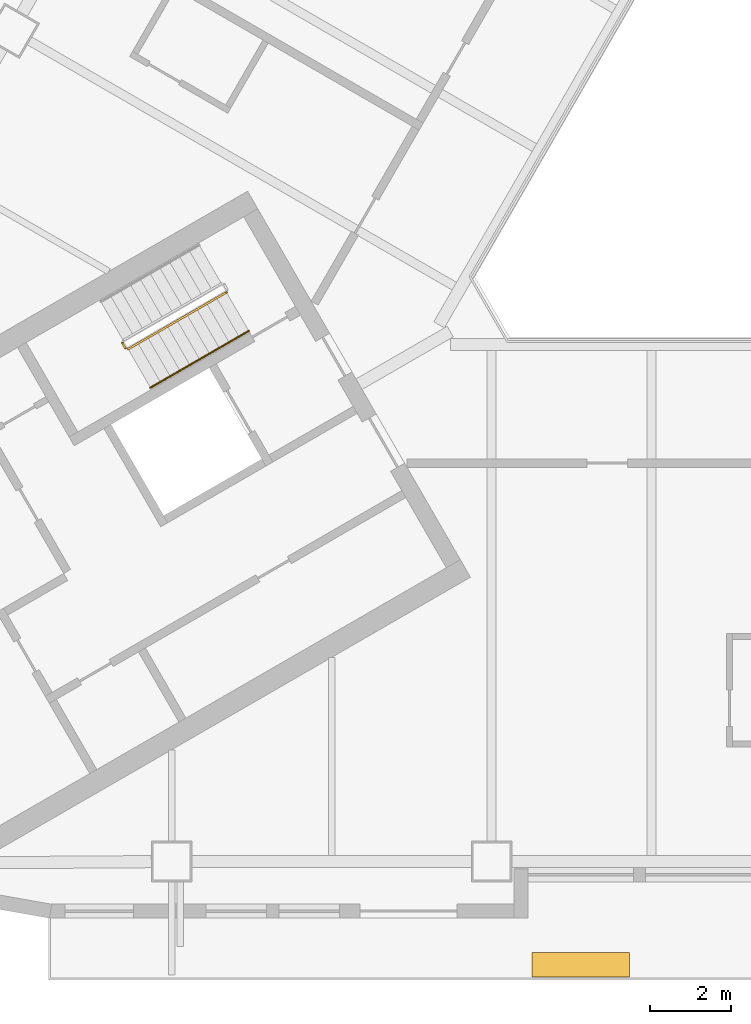
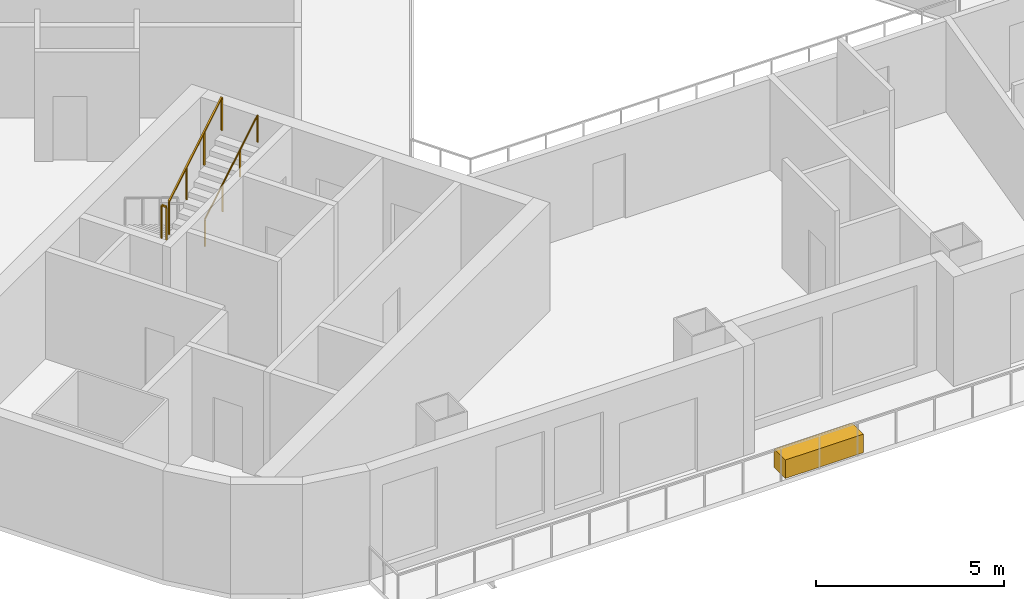
# One storey, part 8 of 13: 3 railings, 1 covering.
"""IFC4 building model written with IfcOpenShell, lengths in metres."""

import ifcopenshell
import ifcopenshell.guid

model = None  # the IFC model being written
_history = None  # IfcOwnerHistory: only IFC2X3 demands one
_inside = {}  # id of a spatial element -> (the spatial element, [elements in it])
_under = {}  # id of a project, library or spatial element -> (it, [spatial elements below it])
_declared = {}  # id of a project -> (the project, [libraries it declares])
_typed = {}  # id of a type object -> (the type object, [elements of that type])
_made_of = {}  # id of a material, layer set ... -> (it, [elements and type objects made of it])


def new_model(schema):
    """Start an empty IFC model of exactly this schema.

    Asked for "IFC4X3", IfcOpenShell would pick the latest addendum, in which some entities
    have other attributes; the version numbers below select the first issue.
    IFC2X3 requires an IfcOwnerHistory on every rooted entity: one is made here for all.
    """
    global model, _history
    if schema == "IFC4X3":
        model = ifcopenshell.file(schema_version=(4, 3, 0, 0))
    else:
        model = ifcopenshell.file(schema=schema)
    _inside.clear()
    _under.clear()
    _declared.clear()
    _typed.clear()
    _made_of.clear()
    _history = None
    if model.schema == "IFC2X3":
        org = make("IfcOrganization", Name="unknown")
        user = make(
            "IfcPersonAndOrganization",
            ThePerson=make("IfcPerson", FamilyName="unknown"),
            TheOrganization=org,
        )
        app = make(
            "IfcApplication",
            ApplicationDeveloper=org,
            Version="unknown",
            ApplicationFullName="unknown",
            ApplicationIdentifier="unknown",
        )
        _history = make(
            "IfcOwnerHistory",
            OwningUser=user,
            OwningApplication=app,
            ChangeAction="ADDED",
            CreationDate=0,
        )
    return model


def make(cls, **values):
    """One entity of the class cls with the attributes given. An attribute that is None is left unset."""
    return model.create_entity(
        cls, **{name: value for name, value in values.items() if value is not None}
    )


def rooted(cls, **values):
    """An entity with a GlobalId (a new one), such as an element, a storey or a relation."""
    return make(cls, GlobalId=ifcopenshell.guid.new(), OwnerHistory=_history, **values)


def si_unit(unit_type, name, prefix=None):
    """IfcSIUnit, for example si_unit("LENGTHUNIT", "METRE", prefix="MILLI")."""
    return make("IfcSIUnit", UnitType=unit_type, Prefix=prefix, Name=name)


def assignment(units):
    """IfcUnitAssignment: the units of a project."""
    return None if units is None else make("IfcUnitAssignment", Units=units)


def point(xyz):
    """IfcCartesianPoint."""
    return None if xyz is None else make("IfcCartesianPoint", Coordinates=xyz)


def direction(xyz):
    """IfcDirection."""
    return None if xyz is None else make("IfcDirection", DirectionRatios=xyz)


def frame(location, z_axis=None, x_axis=None):
    """IfcAxis2Placement3D, a coordinate frame: its origin and axes. An axis left out is left unset."""
    return make(
        "IfcAxis2Placement3D",
        Location=point(location),
        Axis=direction(z_axis),
        RefDirection=direction(x_axis),
    )


def frame_2d(location, x_axis=None):
    """IfcAxis2Placement2D, a coordinate frame in the plane: its origin and x axis."""
    return make(
        "IfcAxis2Placement2D", Location=point(location), RefDirection=direction(x_axis)
    )


def origin():
    """The frame at (0, 0, 0) with its axes left unset."""
    return frame((0.0, 0.0, 0.0))


def origin_2d():
    """The frame at (0, 0) in the plane with its x axis left unset."""
    return frame_2d((0.0, 0.0))


def place(relative_to, where):
    """IfcLocalPlacement: puts the frame where relative to a parent placement (None: the world)."""
    return make(
        "IfcLocalPlacement", PlacementRelTo=relative_to, RelativePlacement=where
    )


def context(
    kind, dimensions, precision=None, world=None, true_north=None, identifier=None
):
    """IfcGeometricRepresentationContext, for example the 3D "Model" context."""
    return make(
        "IfcGeometricRepresentationContext",
        ContextIdentifier=identifier,
        ContextType=kind,
        CoordinateSpaceDimension=dimensions,
        Precision=precision,
        WorldCoordinateSystem=world,
        TrueNorth=true_north,
    )


def subcontext(parent, identifier, kind, view, scale=None):
    """IfcGeometricRepresentationSubContext, for example "Body" below "Model"."""
    return make(
        "IfcGeometricRepresentationSubContext",
        ContextIdentifier=identifier,
        ContextType=kind,
        ParentContext=parent,
        TargetScale=scale,
        TargetView=view,
    )


def project(units=None, contexts=None):
    """IfcProject with its units and contexts."""
    return rooted(
        "IfcProject",
        Name="project",
        RepresentationContexts=contexts,
        UnitsInContext=assignment(units),
    )


def spatial(cls, under=None, at=None, **own):
    """A site, building, storey or space (cls), placed at a placement, below another one or the project."""
    s = rooted(cls, ObjectPlacement=at, **own)
    if under is not None:
        _under.setdefault(under.id(), (under, []))[1].append(s)
    return s


def profile(cls, at=None, kind="AREA", **sizes):
    """A parametric profile (cls). Its sizes go by their IFC names, for example OverallWidth=200.0."""
    return make(cls, ProfileType=kind, Position=at, **sizes)


def rectangle(**sizes):
    """IfcRectangleProfileDef."""
    return profile("IfcRectangleProfileDef", **sizes)


def circle(**sizes):
    """IfcCircleProfileDef."""
    return profile("IfcCircleProfileDef", **sizes)


def extrude(swept, where, along, depth):
    """IfcExtrudedAreaSolid: the profile swept, set in the frame where, extruded along a direction by depth."""
    return make(
        "IfcExtrudedAreaSolid",
        SweptArea=swept,
        Position=where,
        ExtrudedDirection=direction(along),
        Depth=depth,
    )


def shape(context_of_items, identifier, shape_type, items):
    """IfcShapeRepresentation: the items that make up one representation, for example the "Body"."""
    return make(
        "IfcShapeRepresentation",
        ContextOfItems=context_of_items,
        RepresentationIdentifier=identifier,
        RepresentationType=shape_type,
        Items=items,
    )


def material(Name=None, Category=None):
    """IfcMaterial."""
    return make("IfcMaterial", Name=Name, Category=Category)


def made_of(thing, what):
    """Note that an element or type object is made of a material, layer set ...; save() writes the relation."""
    if what is not None:
        _made_of.setdefault(what.id(), (what, []))[1].append(thing)
    return thing


def type_object(cls, material=None, **own):
    """A type object (cls), such as IfcWallType, which elements share."""
    return made_of(rooted(cls, **own), material)


def element(
    cls,
    number,
    at=None,
    inside=None,
    cuts=None,
    type_object=None,
    material=None,
    context=None,
    identifier="Body",
    shape_type=None,
    held_by="IfcProductDefinitionShape",
    body=None,
    shapes=None,
    **own,
):
    """One element of the class cls, such as IfcWall. Its Tag is "e" and its number.

    at: its placement. inside: the storey or other place that contains it. cuts: it is an
    opening in that element (IfcRelVoidsElement). A single representation is given by context,
    identifier, shape_type and body (its items); several are given by shapes. held_by: the class
    of the entity that holds the representations. save() writes the other relations.
    """
    e = rooted(cls, Tag="e%d" % number, ObjectPlacement=at, **own)
    if body is not None:
        shapes = [shape(context, identifier, shape_type, body)]
    if shapes is not None:
        e.Representation = make(held_by, Representations=shapes)
    if inside is not None:
        _inside.setdefault(inside.id(), (inside, []))[1].append(e)
    if cuts is not None:
        rooted(
            "IfcRelVoidsElement", RelatingBuildingElement=cuts, RelatedOpeningElement=e
        )
    if type_object is not None:
        _typed.setdefault(type_object.id(), (type_object, []))[1].append(e)
    return made_of(e, material)


def aggregate(whole, parts):
    """IfcRelAggregates: a whole, such as a stair, and the parts it consists of."""
    return rooted("IfcRelAggregates", RelatingObject=whole, RelatedObjects=parts)


def save(model, path):
    """Write the relations noted so far, then the file.

    IfcRelAggregates (storeys below a building ...), IfcRelContainedInSpatialStructure (elements
    in a storey), IfcRelDefinesByType, IfcRelAssociatesMaterial and IfcRelDeclares: one each for
    every whole, place, type object, material and project.
    """
    for whole, parts in _under.values():
        aggregate(whole, parts)
    for where, things in _inside.values():
        rooted(
            "IfcRelContainedInSpatialStructure",
            RelatedElements=things,
            RelatingStructure=where,
        )
    for kind, things in _typed.values():
        rooted("IfcRelDefinesByType", RelatedObjects=things, RelatingType=kind)
    for what, things in _made_of.values():
        rooted("IfcRelAssociatesMaterial", RelatedObjects=things, RelatingMaterial=what)
    for by, libraries in _declared.values():
        rooted("IfcRelDeclares", RelatingContext=by, RelatedDefinitions=libraries)
    model.write(path)


model = new_model("IFC4")

# Units and contexts
model_context = context("Model", 3, precision=1e-05, world=origin(), true_north=direction((0.0, 1.0)))
body_context = subcontext(model_context, "Body", "Model", "MODEL_VIEW")
ifc_project = project(units=[si_unit("LENGTHUNIT", "METRE"), si_unit("AREAUNIT", "SQUARE_METRE"), si_unit("VOLUMEUNIT", "CUBIC_METRE"), si_unit("PLANEANGLEUNIT", "RADIAN"), si_unit("MASSUNIT", "GRAM", prefix="KILO")], contexts=[model_context])

# Site, building, storey
site_placement = place(None, origin())
site = spatial("IfcSite", under=ifc_project, at=site_placement, CompositionType="ELEMENT")
building_placement = place(site_placement, origin())
building = spatial("IfcBuilding", under=site, at=building_placement, Name="Apuvela Tower Hotel", CompositionType="ELEMENT")
storey_placement = place(building_placement, frame((0.0, 0.0, 65.0)))
storey = spatial("IfcBuildingStorey", under=building, at=storey_placement, Name="L13", CompositionType="ELEMENT", Elevation=65.0)

# Railings
ifc_material_1 = material(Name="Steel S275 balustrade", Category="steel")
railing_type_1 = type_object("IfcRailingType", Name="COR-GUARD-1100", PredefinedType="GUARDRAIL", material=ifc_material_1)
railing_1_placement = place(storey_placement, frame((-17.01220703125, -5.43408203125, 1.85009765625)))
element("IfcRailing", 1, at=railing_1_placement, inside=storey, type_object=railing_type_1, Name="L13 ST2 stair guard 2", PredefinedType="GUARDRAIL", context=body_context, shape_type="SweptSolid", body=[
    extrude(rectangle(XDim=0.048095703125, YDim=0.048095703125, at=origin_2d()), frame((0.0, 0.0, 1.076171875), z_axis=(0.499816412211, -0.866131372301, 0.0), x_axis=(0.866131372301, 0.499816412211, 0.0)), (0.0, 0.0, 1.0), 0.14990234375),
    extrude(rectangle(XDim=0.0419921875, YDim=0.0419921875, at=origin_2d()), origin(), (0.0, 0.0, 1.0), 1.052001953125),
    extrude(rectangle(XDim=0.0419921875, YDim=0.0419921875, at=origin_2d()), frame((0.074951171875, -0.1298828125, 0.0)), (0.0, 0.0, 1.0), 1.052001953125),
])
railing_2_placement = place(storey_placement, frame((-16.868896484375, -5.582275390625, 2.01806640625)))
element("IfcRailing", 2, at=railing_2_placement, inside=storey, type_object=railing_type_1, Name="L13 ST2 stair guard 3", PredefinedType="GUARDRAIL", context=body_context, shape_type="SweptSolid", body=[
    extrude(rectangle(XDim=0.048095703125, YDim=0.048095703125, at=origin_2d()), frame((0.0, 0.0, 1.076171875), z_axis=(0.742390482028, 0.42860119049, 0.514934356695), x_axis=(-0.49998411664, 0.866034573852, 0.0)), (0.0, 0.0, 1.0), 3.26611328125),
    extrude(rectangle(XDim=0.0419921875, YDim=0.0419921875, at=origin_2d()), origin(), (0.0, 0.0, 1.0), 1.052001953125),
    extrude(rectangle(XDim=0.0419921875, YDim=0.0419921875, at=origin_2d()), frame((0.808349609375, 0.466552734375, 0.560546875)), (0.0, 0.0, 1.0), 1.052001953125),
    extrude(rectangle(XDim=0.0419921875, YDim=0.0419921875, at=origin_2d()), frame((1.616455078125, 0.933349609375, 1.121337890625)), (0.0, 0.0, 1.0), 1.052001953125),
    extrude(rectangle(XDim=0.0419921875, YDim=0.0419921875, at=origin_2d()), frame((2.4248046875, 1.39990234375, 1.681884765625)), (0.0, 0.0, 1.0), 1.052001953125),
])
ifc_material_2 = material(Name="Stainless steel 316 handrail", Category="steel")
railing_type_2 = type_object("IfcRailingType", Name="COR-HANDRAIL-900", PredefinedType="HANDRAIL", material=ifc_material_2)
railing_3_placement = place(storey_placement, frame((-16.31884765625, -6.534912109375, 2.01806640625)))
element("IfcRailing", 3, at=railing_3_placement, inside=storey, type_object=railing_type_2, Name="L13 ST2 stair handrail 2", PredefinedType="HANDRAIL", context=body_context, shape_type="SweptSolid", body=[
    extrude(circle(Radius=0.02392578125, at=origin_2d()), frame((0.0, 0.0, 0.8759765625), z_axis=(0.742390482028, 0.42860119049, 0.514934356695), x_axis=(-0.49998411664, 0.866034573852, 0.0)), (0.0, 0.0, 1.0), 3.26611328125),
    extrude(rectangle(XDim=0.0419921875, YDim=0.0419921875, at=origin_2d()), origin(), (0.0, 0.0, 1.0), 0.851806640625),
    extrude(rectangle(XDim=0.0419921875, YDim=0.0419921875, at=origin_2d()), frame((0.808349609375, 0.466552734375, 0.560546875)), (0.0, 0.0, 1.0), 0.851806640625),
    extrude(rectangle(XDim=0.0419921875, YDim=0.0419921875, at=origin_2d()), frame((1.616455078125, 0.933349609375, 1.121337890625)), (0.0, 0.0, 1.0), 0.851806640625),
    extrude(rectangle(XDim=0.0419921875, YDim=0.0419921875, at=origin_2d()), frame((2.4248046875, 1.39990234375, 1.681884765625)), (0.0, 0.0, 1.0), 0.851806640625),
])

# Covering
ifc_material_3 = material(Name="Planting substrate and soil, planted")
covering_type = type_object("IfcCoveringType", Name="ENV-PLANTER-2400x600", PredefinedType="USERDEFINED", material=ifc_material_3)
covering_placement = place(storey_placement, frame((-5.69970703125, -20.780029296875, 0.0), z_axis=(0.0, 0.0, 1.0), x_axis=(1.0, 0.0, 0.0)))
element("IfcCovering", 4, at=covering_placement, inside=storey, type_object=covering_type, Name="Planter S1", ObjectType="PLANTER", PredefinedType="USERDEFINED", context=body_context, shape_type="SweptSolid", body=[
    extrude(rectangle(XDim=2.39990234375, YDim=0.60009765625, at=origin_2d()), origin(), (0.0, 0.0, 1.0), 0.60009765625),
])

save(model, "model.ifc")
